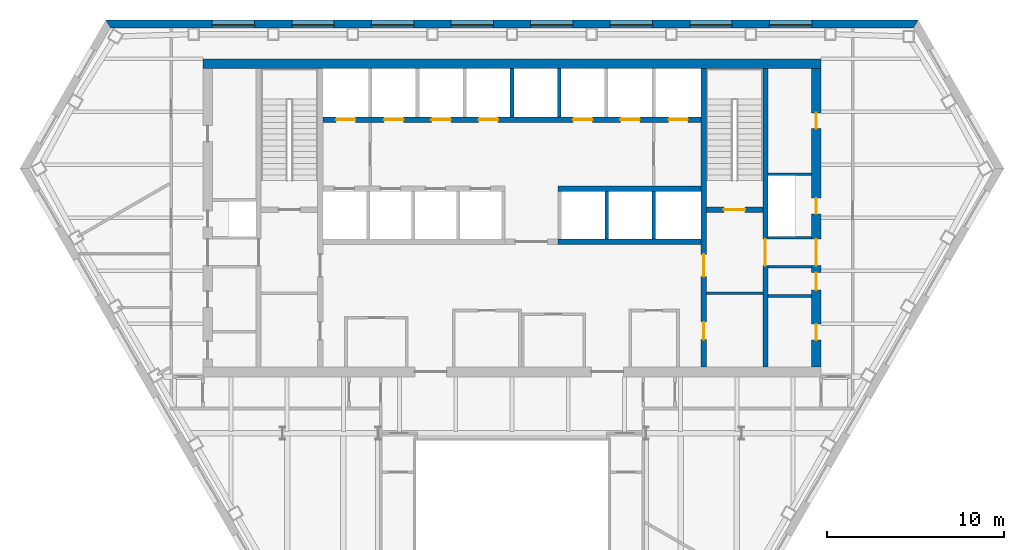
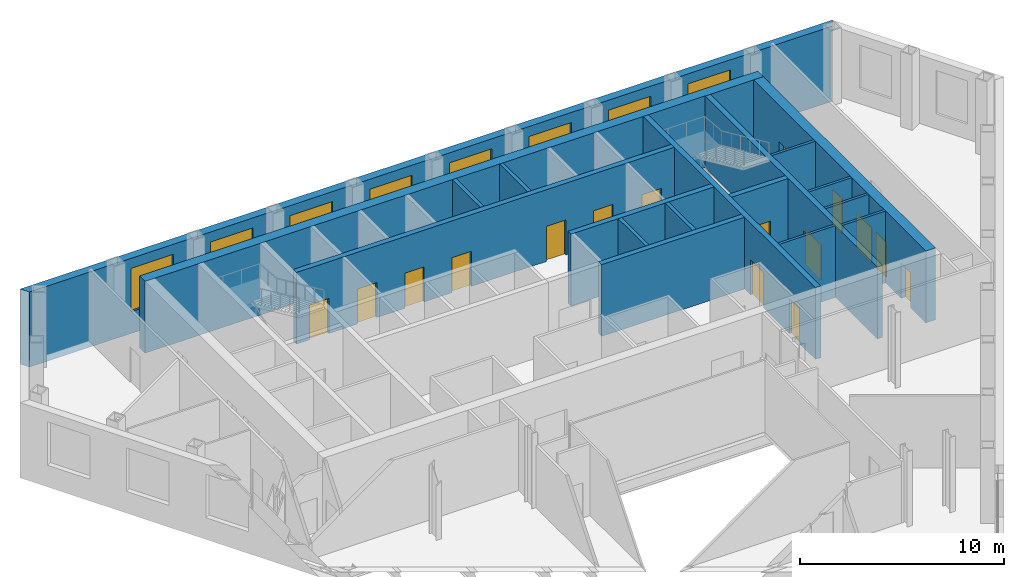
# One storey, part 7 of 11: 18 walls, 16 doors, 8 windows, 24 openings.
"""IFC4 building model written with IfcOpenShell, lengths in metres."""

import ifcopenshell
import ifcopenshell.guid

model = None  # the IFC model being written
_history = None  # IfcOwnerHistory: only IFC2X3 demands one
_inside = {}  # id of a spatial element -> (the spatial element, [elements in it])
_under = {}  # id of a project, library or spatial element -> (it, [spatial elements below it])
_declared = {}  # id of a project -> (the project, [libraries it declares])
_typed = {}  # id of a type object -> (the type object, [elements of that type])
_made_of = {}  # id of a material, layer set ... -> (it, [elements and type objects made of it])


def new_model(schema):
    """Start an empty IFC model of exactly this schema.

    Asked for "IFC4X3", IfcOpenShell would pick the latest addendum, in which some entities
    have other attributes; the version numbers below select the first issue.
    IFC2X3 requires an IfcOwnerHistory on every rooted entity: one is made here for all.
    """
    global model, _history
    if schema == "IFC4X3":
        model = ifcopenshell.file(schema_version=(4, 3, 0, 0))
    else:
        model = ifcopenshell.file(schema=schema)
    _inside.clear()
    _under.clear()
    _declared.clear()
    _typed.clear()
    _made_of.clear()
    _history = None
    if model.schema == "IFC2X3":
        org = make("IfcOrganization", Name="unknown")
        user = make(
            "IfcPersonAndOrganization",
            ThePerson=make("IfcPerson", FamilyName="unknown"),
            TheOrganization=org,
        )
        app = make(
            "IfcApplication",
            ApplicationDeveloper=org,
            Version="unknown",
            ApplicationFullName="unknown",
            ApplicationIdentifier="unknown",
        )
        _history = make(
            "IfcOwnerHistory",
            OwningUser=user,
            OwningApplication=app,
            ChangeAction="ADDED",
            CreationDate=0,
        )
    return model


def make(cls, **values):
    """One entity of the class cls with the attributes given. An attribute that is None is left unset."""
    return model.create_entity(
        cls, **{name: value for name, value in values.items() if value is not None}
    )


def rooted(cls, **values):
    """An entity with a GlobalId (a new one), such as an element, a storey or a relation."""
    return make(cls, GlobalId=ifcopenshell.guid.new(), OwnerHistory=_history, **values)


def si_unit(unit_type, name, prefix=None):
    """IfcSIUnit, for example si_unit("LENGTHUNIT", "METRE", prefix="MILLI")."""
    return make("IfcSIUnit", UnitType=unit_type, Prefix=prefix, Name=name)


def assignment(units):
    """IfcUnitAssignment: the units of a project."""
    return None if units is None else make("IfcUnitAssignment", Units=units)


def point(xyz):
    """IfcCartesianPoint."""
    return None if xyz is None else make("IfcCartesianPoint", Coordinates=xyz)


def direction(xyz):
    """IfcDirection."""
    return None if xyz is None else make("IfcDirection", DirectionRatios=xyz)


def frame(location, z_axis=None, x_axis=None):
    """IfcAxis2Placement3D, a coordinate frame: its origin and axes. An axis left out is left unset."""
    return make(
        "IfcAxis2Placement3D",
        Location=point(location),
        Axis=direction(z_axis),
        RefDirection=direction(x_axis),
    )


def frame_2d(location, x_axis=None):
    """IfcAxis2Placement2D, a coordinate frame in the plane: its origin and x axis."""
    return make(
        "IfcAxis2Placement2D", Location=point(location), RefDirection=direction(x_axis)
    )


def origin():
    """The frame at (0, 0, 0) with its axes left unset."""
    return frame((0.0, 0.0, 0.0))


def place(relative_to, where):
    """IfcLocalPlacement: puts the frame where relative to a parent placement (None: the world)."""
    return make(
        "IfcLocalPlacement", PlacementRelTo=relative_to, RelativePlacement=where
    )


def context(
    kind, dimensions, precision=None, world=None, true_north=None, identifier=None
):
    """IfcGeometricRepresentationContext, for example the 3D "Model" context."""
    return make(
        "IfcGeometricRepresentationContext",
        ContextIdentifier=identifier,
        ContextType=kind,
        CoordinateSpaceDimension=dimensions,
        Precision=precision,
        WorldCoordinateSystem=world,
        TrueNorth=true_north,
    )


def subcontext(parent, identifier, kind, view, scale=None):
    """IfcGeometricRepresentationSubContext, for example "Body" below "Model"."""
    return make(
        "IfcGeometricRepresentationSubContext",
        ContextIdentifier=identifier,
        ContextType=kind,
        ParentContext=parent,
        TargetScale=scale,
        TargetView=view,
    )


def project(units=None, contexts=None):
    """IfcProject with its units and contexts."""
    return rooted(
        "IfcProject",
        Name="project",
        RepresentationContexts=contexts,
        UnitsInContext=assignment(units),
    )


def spatial(cls, under=None, at=None, **own):
    """A site, building, storey or space (cls), placed at a placement, below another one or the project."""
    s = rooted(cls, ObjectPlacement=at, **own)
    if under is not None:
        _under.setdefault(under.id(), (under, []))[1].append(s)
    return s


def polyline(points):
    """IfcPolyline through the points."""
    return make("IfcPolyline", Points=[point(p) for p in points])


def profile(cls, at=None, kind="AREA", **sizes):
    """A parametric profile (cls). Its sizes go by their IFC names, for example OverallWidth=200.0."""
    return make(cls, ProfileType=kind, Position=at, **sizes)


def rectangle(**sizes):
    """IfcRectangleProfileDef."""
    return profile("IfcRectangleProfileDef", **sizes)


def outline(outer, holes=None, kind="AREA"):
    """IfcArbitraryClosedProfileDef: a profile drawn as a closed curve; with holes, ...WithVoids."""
    if holes is None:
        return make("IfcArbitraryClosedProfileDef", ProfileType=kind, OuterCurve=outer)
    return make(
        "IfcArbitraryProfileDefWithVoids",
        ProfileType=kind,
        OuterCurve=outer,
        InnerCurves=holes,
    )


def extrude(swept, where, along, depth):
    """IfcExtrudedAreaSolid: the profile swept, set in the frame where, extruded along a direction by depth."""
    return make(
        "IfcExtrudedAreaSolid",
        SweptArea=swept,
        Position=where,
        ExtrudedDirection=direction(along),
        Depth=depth,
    )


def shape(context_of_items, identifier, shape_type, items):
    """IfcShapeRepresentation: the items that make up one representation, for example the "Body"."""
    return make(
        "IfcShapeRepresentation",
        ContextOfItems=context_of_items,
        RepresentationIdentifier=identifier,
        RepresentationType=shape_type,
        Items=items,
    )


def material(Name=None, Category=None):
    """IfcMaterial."""
    return make("IfcMaterial", Name=Name, Category=Category)


def layer(
    of_material, thickness, ventilated=None, Name=None, Category=None, Priority=None
):
    """IfcMaterialLayer: one layer of a wall or slab, of a material (None: an air gap)."""
    return make(
        "IfcMaterialLayer",
        Material=of_material,
        LayerThickness=thickness,
        IsVentilated=ventilated,
        Name=Name,
        Category=Category,
        Priority=Priority,
    )


def layer_set(layers, Name=None):
    """IfcMaterialLayerSet."""
    return make("IfcMaterialLayerSet", MaterialLayers=layers, LayerSetName=Name)


def made_of(thing, what):
    """Note that an element or type object is made of a material, layer set ...; save() writes the relation."""
    if what is not None:
        _made_of.setdefault(what.id(), (what, []))[1].append(thing)
    return thing


def type_object(cls, material=None, **own):
    """A type object (cls), such as IfcWallType, which elements share."""
    return made_of(rooted(cls, **own), material)


def element(
    cls,
    number,
    at=None,
    inside=None,
    cuts=None,
    type_object=None,
    material=None,
    context=None,
    identifier="Body",
    shape_type=None,
    held_by="IfcProductDefinitionShape",
    body=None,
    shapes=None,
    **own,
):
    """One element of the class cls, such as IfcWall. Its Tag is "e" and its number.

    at: its placement. inside: the storey or other place that contains it. cuts: it is an
    opening in that element (IfcRelVoidsElement). A single representation is given by context,
    identifier, shape_type and body (its items); several are given by shapes. held_by: the class
    of the entity that holds the representations. save() writes the other relations.
    """
    e = rooted(cls, Tag="e%d" % number, ObjectPlacement=at, **own)
    if body is not None:
        shapes = [shape(context, identifier, shape_type, body)]
    if shapes is not None:
        e.Representation = make(held_by, Representations=shapes)
    if inside is not None:
        _inside.setdefault(inside.id(), (inside, []))[1].append(e)
    if cuts is not None:
        rooted(
            "IfcRelVoidsElement", RelatingBuildingElement=cuts, RelatedOpeningElement=e
        )
    if type_object is not None:
        _typed.setdefault(type_object.id(), (type_object, []))[1].append(e)
    return made_of(e, material)


def fill(opening, filler):
    """IfcRelFillsElement: the door or window that sits in an opening."""
    return rooted(
        "IfcRelFillsElement",
        RelatingOpeningElement=opening,
        RelatedBuildingElement=filler,
    )


def aggregate(whole, parts):
    """IfcRelAggregates: a whole, such as a stair, and the parts it consists of."""
    return rooted("IfcRelAggregates", RelatingObject=whole, RelatedObjects=parts)


def save(model, path):
    """Write the relations noted so far, then the file.

    IfcRelAggregates (storeys below a building ...), IfcRelContainedInSpatialStructure (elements
    in a storey), IfcRelDefinesByType, IfcRelAssociatesMaterial and IfcRelDeclares: one each for
    every whole, place, type object, material and project.
    """
    for whole, parts in _under.values():
        aggregate(whole, parts)
    for where, things in _inside.values():
        rooted(
            "IfcRelContainedInSpatialStructure",
            RelatedElements=things,
            RelatingStructure=where,
        )
    for kind, things in _typed.values():
        rooted("IfcRelDefinesByType", RelatedObjects=things, RelatingType=kind)
    for what, things in _made_of.values():
        rooted("IfcRelAssociatesMaterial", RelatedObjects=things, RelatingMaterial=what)
    for by, libraries in _declared.values():
        rooted("IfcRelDeclares", RelatingContext=by, RelatedDefinitions=libraries)
    model.write(path)


model = new_model("IFC4")

# Units and contexts
model_context = context("Model", 3, precision=1e-05, world=origin(), true_north=direction((0.0, 1.0)))
body_context = subcontext(model_context, "Body", "Model", "MODEL_VIEW")
ifc_project = project(units=[si_unit("LENGTHUNIT", "METRE"), si_unit("AREAUNIT", "SQUARE_METRE"), si_unit("VOLUMEUNIT", "CUBIC_METRE"), si_unit("PLANEANGLEUNIT", "RADIAN"), si_unit("MASSUNIT", "GRAM", prefix="KILO")], contexts=[model_context])

# Site, building, storey
site_placement = place(None, origin())
site = spatial("IfcSite", under=ifc_project, at=site_placement, CompositionType="ELEMENT")
building_placement = place(site_placement, origin())
building = spatial("IfcBuilding", under=site, at=building_placement, Name="Njiva Tower", CompositionType="ELEMENT")
storey_placement = place(building_placement, frame((0.0, 0.0, 115.8)))
storey = spatial("IfcBuildingStorey", under=building, at=storey_placement, Name="L24", CompositionType="ELEMENT", Elevation=115.8)

# Walls
ifc_material_1 = material(Name="Blockwork", Category="masonry")
ifc_layer_1 = layer(ifc_material_1, 0.15)
ifc_layer_set_1 = layer_set([ifc_layer_1], Name="Blockwork")
wall_type_1 = type_object("IfcWallType", Name="WT1 Compartment partition 150", PredefinedType="PARTITIONING", material=ifc_layer_set_1)
wall_1_placement = place(storey_placement, frame((11.0, 4.725, 0.0), z_axis=(0.0, 0.0, 1.0), x_axis=(1.0, 0.0, 0.0)))
element("IfcWall", 1, at=wall_1_placement, inside=storey, type_object=wall_type_1, Name="Room wall B", PredefinedType="PARTITIONING", context=body_context, shape_type="SweptSolid", body=[
    extrude(rectangle(XDim=3.2, YDim=0.15, at=frame_2d((1.6, 0.0))), origin(), (0.0, 0.0, 1.0), 4.3),
])
wall_2_placement = place(storey_placement, frame((14.5, 4.575, 0.0), z_axis=(0.0, 0.0, 1.0), x_axis=(1.0, 0.0, 0.0)))
element("IfcWall", 2, at=wall_2_placement, inside=storey, type_object=wall_type_1, Name="Partition strip E00", PredefinedType="PARTITIONING", context=body_context, shape_type="SweptSolid", body=[
    extrude(rectangle(XDim=2.45, YDim=0.15, at=frame_2d((1.225, 0.0))), origin(), (0.0, 0.0, 1.0), 4.3),
])

# Wall, openings, doors
ifc_material_2 = material(Name="Concrete C40/50", Category="concrete")
ifc_layer_2 = layer(ifc_material_2, 0.3)
ifc_layer_set_2 = layer_set([ifc_layer_2], Name="Concrete C40/50")
wall_type_2 = type_object("IfcWallType", Name="WT10 Stair enclosure wall 300", PredefinedType="SHEAR", material=ifc_layer_set_2)
wall_3_placement = place(storey_placement, frame((10.85, 0.55, 0.0), z_axis=(0.0, 0.0, 1.0), x_axis=(0.0, 1.0, 0.0)))
wall_3 = element("IfcWall", 3, at=wall_3_placement, inside=storey, type_object=wall_type_2, Name="Stair wall east inner", PredefinedType="SHEAR", context=body_context, shape_type="SweptSolid", body=[
    extrude(rectangle(XDim=16.9, YDim=0.3, at=frame_2d((8.45, 0.0))), origin(), (0.0, 0.0, 1.0), 4.3),
])
opening_1_placement = place(wall_3_placement, frame((5.125, 0.0, 0.0)))
opening_1 = element("IfcOpeningElement", 4, at=opening_1_placement, cuts=wall_3, Name="Opening S08-D918", PredefinedType="OPENING", context=body_context, shape_type="SweptSolid", body=[
    extrude(rectangle(XDim=1.25, YDim=2.1, at=frame_2d((0.625, 1.05))), frame((0.0, 0.16, 0.0), z_axis=(0.0, -1.0, 0.0), x_axis=(1.0, 0.0, 0.0)), (0.0, 0.0, 1.0), 0.32),
])
opening_2_placement = place(wall_3_placement, frame((1.55, 0.0, 0.0)))
opening_2 = element("IfcOpeningElement", 5, at=opening_2_placement, cuts=wall_3, Name="Opening S08-D919", PredefinedType="OPENING", context=body_context, shape_type="SweptSolid", body=[
    extrude(rectangle(XDim=1.0, YDim=2.1, at=frame_2d((0.5, 1.05))), frame((0.0, 0.16, 0.0), z_axis=(0.0, -1.0, 0.0), x_axis=(1.0, 0.0, 0.0)), (0.0, 0.0, 1.0), 0.32),
])
ifc_material_3 = material(Name="Steel door, painted", Category="steel")
door_type_1 = type_object("IfcDoorType", Name="D5 Steel door 1000x2100", OperationType="SINGLE_SWING_LEFT", PredefinedType="DOOR", material=ifc_material_3)
door_1_placement = place(opening_2_placement, origin())
door_1 = element("IfcDoor", 6, at=door_1_placement, inside=storey, type_object=door_type_1, Name="First aid room door", OperationType="SINGLE_SWING_LEFT", OverallHeight=2.1, OverallWidth=1.0, PredefinedType="DOOR", context=body_context, shape_type="SweptSolid", body=[
    extrude(rectangle(XDim=1.0, YDim=2.1, at=frame_2d((0.5, 1.05))), frame((0.0, 0.025, 0.0), z_axis=(0.0, -1.0, 0.0), x_axis=(1.0, 0.0, 0.0)), (0.0, 0.0, 1.0), 0.05),
])
fill(opening_2, door_1)
ifc_material_4 = material(Name="Glazed steel fire door", Category="steel")
door_type_2 = type_object("IfcDoorType", Name="D8 Vestibule corridor door 1250x2100 glazed", OperationType="SINGLE_SWING_LEFT", PredefinedType="DOOR", material=ifc_material_4)
door_2_placement = place(opening_1_placement, origin())
door_2 = element("IfcDoor", 7, at=door_2_placement, inside=storey, type_object=door_type_2, Name="Stair vestibule corridor door", OperationType="SINGLE_SWING_RIGHT", OverallHeight=2.1, OverallWidth=1.25, PredefinedType="DOOR", context=body_context, shape_type="SweptSolid", body=[
    extrude(rectangle(XDim=1.25, YDim=2.1, at=frame_2d((0.625, 1.05))), frame((0.0, 0.025, 0.0), z_axis=(0.0, -1.0, 0.0), x_axis=(1.0, 0.0, 0.0)), (0.0, 0.0, 1.0), 0.05),
])
fill(opening_1, door_2)

# Wall, opening, door
wall_4_placement = place(storey_placement, frame((14.35, 0.55, 0.0), z_axis=(0.0, 0.0, 1.0), x_axis=(0.0, 1.0, 0.0)))
wall_4 = element("IfcWall", 8, at=wall_4_placement, inside=storey, type_object=wall_type_2, Name="Stair wall east outer", PredefinedType="SHEAR", context=body_context, shape_type="SweptSolid", body=[
    extrude(rectangle(XDim=16.9, YDim=0.3, at=frame_2d((8.45, 0.0))), origin(), (0.0, 0.0, 1.0), 4.3),
])
opening_3_placement = place(wall_4_placement, frame((5.75, 0.0, 0.0)))
opening_3 = element("IfcOpeningElement", 9, at=opening_3_placement, cuts=wall_4, Name="Opening S08-D926", PredefinedType="OPENING", context=body_context, shape_type="SweptSolid", body=[
    extrude(rectangle(XDim=1.5, YDim=2.1, at=frame_2d((0.75, 1.05))), frame((0.0, 0.16, 0.0), z_axis=(0.0, -1.0, 0.0), x_axis=(1.0, 0.0, 0.0)), (0.0, 0.0, 1.0), 0.32),
])
door_type_3 = type_object("IfcDoorType", Name="D10 Exit door double 1500x2100 glazed", OperationType="DOUBLE_DOOR_SINGLE_SWING", PredefinedType="DOOR", material=ifc_material_4)
door_3_placement = place(opening_3_placement, origin())
door_3 = element("IfcDoor", 10, at=door_3_placement, inside=storey, type_object=door_type_3, Name="Stair B passage door", OperationType="DOUBLE_DOOR_SINGLE_SWING", OverallHeight=2.1, OverallWidth=1.5, PredefinedType="DOOR", context=body_context, shape_type="SweptSolid", body=[
    extrude(rectangle(XDim=1.5, YDim=2.1, at=frame_2d((0.75, 1.05))), frame((0.0, 0.025, 0.0), z_axis=(0.0, -1.0, 0.0), x_axis=(1.0, 0.0, 0.0)), (0.0, 0.0, 1.0), 0.05),
])
fill(opening_3, door_3)

wall_5_placement = place(storey_placement, frame((11.0, 9.45, 0.0), z_axis=(0.0, 0.0, 1.0), x_axis=(1.0, 0.0, 0.0)))
wall_5 = element("IfcWall", 11, at=wall_5_placement, inside=storey, type_object=wall_type_2, Name="Stair B south wall", PredefinedType="SHEAR", context=body_context, shape_type="SweptSolid", body=[
    extrude(rectangle(XDim=3.2, YDim=0.3, at=frame_2d((1.6, 0.0))), origin(), (0.0, 0.0, 1.0), 4.3),
])
opening_4_placement = place(wall_5_placement, frame((1.0, 0.0, 0.0)))
opening_4 = element("IfcOpeningElement", 12, at=opening_4_placement, cuts=wall_5, Name="Opening S08-D917", PredefinedType="OPENING", context=body_context, shape_type="SweptSolid", body=[
    extrude(rectangle(XDim=1.2, YDim=2.1, at=frame_2d((0.6, 1.05))), frame((0.0, 0.16, 0.0), z_axis=(0.0, -1.0, 0.0), x_axis=(1.0, 0.0, 0.0)), (0.0, 0.0, 1.0), 0.32),
])
door_type_4 = type_object("IfcDoorType", Name="D7 Stair vestibule door 1200x2100 glazed", OperationType="SINGLE_SWING_LEFT", PredefinedType="DOOR", material=ifc_material_4)
door_4_placement = place(opening_4_placement, origin())
door_4 = element("IfcDoor", 13, at=door_4_placement, inside=storey, type_object=door_type_4, Name="Stair B door", OperationType="SINGLE_SWING_LEFT", OverallHeight=2.1, OverallWidth=1.2, PredefinedType="DOOR", context=body_context, shape_type="SweptSolid", body=[
    extrude(rectangle(XDim=1.2, YDim=2.1, at=frame_2d((0.6, 1.05))), frame((0.0, 0.025, 0.0), z_axis=(0.0, -1.0, 0.0), x_axis=(1.0, 0.0, 0.0)), (0.0, 0.0, 1.0), 0.05),
])
fill(opening_4, door_4)

# Wall
ifc_material_5 = material(Name="Concrete C60/75", Category="concrete")
ifc_layer_3 = layer(ifc_material_5, 0.55)
ifc_layer_set_3 = layer_set([ifc_layer_3], Name="Concrete C60/75")
wall_type_3 = type_object("IfcWallType", Name="WT14 Core wall 550", PredefinedType="SHEAR", material=ifc_layer_set_3)
wall_6_placement = place(storey_placement, frame((-17.5, 17.725, 0.0), z_axis=(0.0, 0.0, 1.0), x_axis=(1.0, 0.0, 0.0)))
element("IfcWall", 14, at=wall_6_placement, inside=storey, type_object=wall_type_3, Name="Core wall north", PredefinedType="SHEAR", context=body_context, shape_type="SweptSolid", body=[
    extrude(rectangle(XDim=35.0, YDim=0.55, at=frame_2d((17.5, 0.0))), origin(), (0.0, 0.0, 1.0), 4.3),
])

# Wall, openings, doors
wall_7_placement = place(storey_placement, frame((17.225, 0.55, 0.0), z_axis=(0.0, 0.0, 1.0), x_axis=(0.0, 1.0, 0.0)))
wall_7 = element("IfcWall", 15, at=wall_7_placement, inside=storey, type_object=wall_type_3, Name="Core wall east", PredefinedType="SHEAR", context=body_context, shape_type="SweptSolid", body=[
    extrude(rectangle(XDim=16.9, YDim=0.55, at=frame_2d((8.45, 0.0))), origin(), (0.0, 0.0, 1.0), 4.3),
])
opening_5_placement = place(wall_7_placement, frame((5.75, 0.0, 0.0)))
opening_5 = element("IfcOpeningElement", 16, at=opening_5_placement, cuts=wall_7, Name="Opening S08-D927", PredefinedType="OPENING", context=body_context, shape_type="SweptSolid", body=[
    extrude(rectangle(XDim=1.5, YDim=2.1, at=frame_2d((0.75, 1.05))), frame((0.0, 0.285, 0.0), z_axis=(0.0, -1.0, 0.0), x_axis=(1.0, 0.0, 0.0)), (0.0, 0.0, 1.0), 0.57),
])
opening_6_placement = place(wall_7_placement, frame((1.525, 0.0, 0.0)))
opening_6 = element("IfcOpeningElement", 17, at=opening_6_placement, cuts=wall_7, Name="Opening S08-D928", PredefinedType="OPENING", context=body_context, shape_type="SweptSolid", body=[
    extrude(rectangle(XDim=0.9, YDim=2.1, at=frame_2d((0.45, 1.05))), frame((0.0, 0.285, 0.0), z_axis=(0.0, -1.0, 0.0), x_axis=(1.0, 0.0, 0.0)), (0.0, 0.0, 1.0), 0.57),
])
opening_7_placement = place(wall_7_placement, frame((4.35, 0.0, 0.0)))
opening_7 = element("IfcOpeningElement", 18, at=opening_7_placement, cuts=wall_7, Name="Opening S08-D929", PredefinedType="OPENING", context=body_context, shape_type="SweptSolid", body=[
    extrude(rectangle(XDim=1.0, YDim=2.1, at=frame_2d((0.5, 1.05))), frame((0.0, 0.285, 0.0), z_axis=(0.0, -1.0, 0.0), x_axis=(1.0, 0.0, 0.0)), (0.0, 0.0, 1.0), 0.57),
])
opening_8_placement = place(wall_7_placement, frame((8.6724, 0.0, 0.0)))
opening_8 = element("IfcOpeningElement", 19, at=opening_8_placement, cuts=wall_7, Name="Opening S08-D930", PredefinedType="OPENING", context=body_context, shape_type="SweptSolid", body=[
    extrude(rectangle(XDim=0.9, YDim=2.1, at=frame_2d((0.45, 1.05))), frame((0.0, 0.285, 0.0), z_axis=(0.0, -1.0, 0.0), x_axis=(1.0, 0.0, 0.0)), (0.0, 0.0, 1.0), 0.57),
])
opening_9_placement = place(wall_7_placement, frame((13.4974, 0.0, 0.0)))
opening_9 = element("IfcOpeningElement", 20, at=opening_9_placement, cuts=wall_7, Name="Opening S08-D931", PredefinedType="OPENING", context=body_context, shape_type="SweptSolid", body=[
    extrude(rectangle(XDim=0.9, YDim=2.1, at=frame_2d((0.45, 1.05))), frame((0.0, 0.285, 0.0), z_axis=(0.0, -1.0, 0.0), x_axis=(1.0, 0.0, 0.0)), (0.0, 0.0, 1.0), 0.57),
])
door_5_placement = place(opening_5_placement, origin())
door_5 = element("IfcDoor", 21, at=door_5_placement, inside=storey, type_object=door_type_3, Name="Stair B corridor door", OperationType="DOUBLE_DOOR_SINGLE_SWING", OverallHeight=2.1, OverallWidth=1.5, PredefinedType="DOOR", context=body_context, shape_type="SweptSolid", body=[
    extrude(rectangle(XDim=1.5, YDim=2.1, at=frame_2d((0.75, 1.05))), frame((0.0, 0.025, 0.0), z_axis=(0.0, -1.0, 0.0), x_axis=(1.0, 0.0, 0.0)), (0.0, 0.0, 1.0), 0.05),
])
fill(opening_5, door_5)
door_type_5 = type_object("IfcDoorType", Name="D4 Riser door 900x2100", OperationType="SINGLE_SWING_LEFT", PredefinedType="DOOR", material=ifc_material_3)
door_6_placement = place(opening_8_placement, origin())
door_6 = element("IfcDoor", 22, at=door_6_placement, inside=storey, type_object=door_type_5, Name="Riser door", OperationType="SINGLE_SWING_RIGHT", OverallHeight=2.1, OverallWidth=0.9, PredefinedType="DOOR", context=body_context, shape_type="SweptSolid", body=[
    extrude(rectangle(XDim=0.9, YDim=2.1, at=frame_2d((0.45, 1.05))), frame((0.0, 0.025, 0.0), z_axis=(0.0, -1.0, 0.0), x_axis=(1.0, 0.0, 0.0)), (0.0, 0.0, 1.0), 0.05),
])
fill(opening_8, door_6)
door_7_placement = place(opening_7_placement, origin())
door_7 = element("IfcDoor", 23, at=door_7_placement, inside=storey, type_object=door_type_1, Name="Telecoms room door", OperationType="SINGLE_SWING_RIGHT", OverallHeight=2.1, OverallWidth=1.0, PredefinedType="DOOR", context=body_context, shape_type="SweptSolid", body=[
    extrude(rectangle(XDim=1.0, YDim=2.1, at=frame_2d((0.5, 1.05))), frame((0.0, 0.025, 0.0), z_axis=(0.0, -1.0, 0.0), x_axis=(1.0, 0.0, 0.0)), (0.0, 0.0, 1.0), 0.05),
])
fill(opening_7, door_7)
ifc_material_6 = material(Name="Steel fire door, painted", Category="steel")
door_type_6 = type_object("IfcDoorType", Name="D6 Fire-rated door 900x2100", OperationType="SINGLE_SWING_LEFT", PredefinedType="DOOR", material=ifc_material_6)
door_8_placement = place(opening_6_placement, origin())
door_8 = element("IfcDoor", 24, at=door_8_placement, inside=storey, type_object=door_type_6, Name="Meeting room door", OperationType="SINGLE_SWING_RIGHT", OverallHeight=2.1, OverallWidth=0.9, PredefinedType="DOOR", context=body_context, shape_type="SweptSolid", body=[
    extrude(rectangle(XDim=0.9, YDim=2.1, at=frame_2d((0.45, 1.05))), frame((0.0, 0.025, 0.0), z_axis=(0.0, -1.0, 0.0), x_axis=(1.0, 0.0, 0.0)), (0.0, 0.0, 1.0), 0.05),
])
fill(opening_6, door_8)
door_9_placement = place(opening_9_placement, origin())
door_9 = element("IfcDoor", 25, at=door_9_placement, inside=storey, type_object=door_type_6, Name="First aid room door", OperationType="SINGLE_SWING_LEFT", OverallHeight=2.1, OverallWidth=0.9, PredefinedType="DOOR", context=body_context, shape_type="SweptSolid", body=[
    extrude(rectangle(XDim=0.9, YDim=2.1, at=frame_2d((0.45, 1.05))), frame((0.0, 0.025, 0.0), z_axis=(0.0, -1.0, 0.0), x_axis=(1.0, 0.0, 0.0)), (0.0, 0.0, 1.0), 0.05),
])
fill(opening_9, door_9)

# Walls
ifc_layer_4 = layer(ifc_material_1, 0.15)
ifc_layer_set_4 = layer_set([ifc_layer_4], Name="Blockwork")
wall_type_4 = type_object("IfcWallType", Name="WT3 Riser partition 150", PredefinedType="PARTITIONING", material=ifc_layer_set_4)
wall_8_placement = place(storey_placement, frame((14.5, 11.4697, 0.0), z_axis=(0.0, 0.0, 1.0), x_axis=(1.0, 0.0, 0.0)))
element("IfcWall", 26, at=wall_8_placement, inside=storey, type_object=wall_type_4, Name="Partition strip E10", PredefinedType="PARTITIONING", context=body_context, shape_type="SweptSolid", body=[
    extrude(rectangle(XDim=2.45, YDim=0.15, at=frame_2d((1.225, 0.0))), origin(), (0.0, 0.0, 1.0), 4.3),
])
ifc_layer_5 = layer(ifc_material_1, 0.15)
ifc_layer_set_5 = layer_set([ifc_layer_5], Name="Blockwork")
wall_type_5 = type_object("IfcWallType", Name="WT4 Stair partition 150", PredefinedType="PARTITIONING", material=ifc_layer_set_5)
for number, where, z_axis, x_axis, name in (
    (27, (14.5, 6.225, 0.0), (0.0, 0.0, 1.0), (1.0, 0.0, 0.0), "Stair B exit passage wall south"),
    (28, (14.5, 7.875, 0.0), (0.0, 0.0, 1.0), (1.0, 0.0, 0.0), "Stair B exit passage wall north"),
):
    element("IfcWall", number, at=place(storey_placement, frame(where, z_axis=z_axis, x_axis=x_axis)), inside=storey, type_object=wall_type_5, Name=name, PredefinedType="PARTITIONING", context=body_context, shape_type="SweptSolid", body=[
        extrude(rectangle(XDim=2.45, YDim=0.15, at=frame_2d((1.225, 0.0))), origin(), (0.0, 0.0, 1.0), 4.3),
    ])
ifc_layer_6 = layer(ifc_material_2, 0.2)
ifc_layer_set_6 = layer_set([ifc_layer_6], Name="Concrete C40/50")
wall_type_6 = type_object("IfcWallType", Name="WT6 Lift shaft wall 200", PredefinedType="SHEAR", material=ifc_layer_set_6)
for number, where, z_axis, x_axis, name in (
    (29, (0.0, 14.7, 0.0), (0.0, 0.0, 1.0), (0.0, 1.0, 0.0), "Shaft wall CN4"),
    (30, (2.675, 14.7, 0.0), (0.0, 0.0, 1.0), (0.0, 1.0, 0.0), "Shaft wall CN5"),
):
    element("IfcWall", number, at=place(storey_placement, frame(where, z_axis=z_axis, x_axis=x_axis)), inside=storey, type_object=wall_type_6, Name=name, PredefinedType="SHEAR", context=body_context, shape_type="SweptSolid", body=[
        extrude(rectangle(XDim=2.75, YDim=0.2, at=frame_2d((1.375, 0.0))), origin(), (0.0, 0.0, 1.0), 4.3),
    ])
for number, where, z_axis, x_axis, name in (
    (31, (5.3667, 7.8, 0.0), (0.0, 0.0, 1.0), (0.0, 1.0, 0.0), "Shaft wall CS6"),
    (32, (8.0333, 7.8, 0.0), (0.0, 0.0, 1.0), (0.0, 1.0, 0.0), "Shaft wall CS7"),
):
    element("IfcWall", number, at=place(storey_placement, frame(where, z_axis=z_axis, x_axis=x_axis)), inside=storey, type_object=wall_type_6, Name=name, PredefinedType="SHEAR", context=body_context, shape_type="SweptSolid", body=[
        extrude(rectangle(XDim=2.7, YDim=0.2, at=frame_2d((1.35, 0.0))), origin(), (0.0, 0.0, 1.0), 4.3),
    ])

# Wall, openings, doors
ifc_layer_7 = layer(ifc_material_2, 0.3)
ifc_layer_set_7 = layer_set([ifc_layer_7], Name="Concrete C40/50")
wall_type_7 = type_object("IfcWallType", Name="WT7 Lift shaft wall 300", PredefinedType="SHEAR", material=ifc_layer_set_7)
wall_9_placement = place(storey_placement, frame((-10.7, 14.55, 0.0), z_axis=(0.0, 0.0, 1.0), x_axis=(1.0, 0.0, 0.0)))
wall_9 = element("IfcWall", 33, at=wall_9_placement, inside=storey, type_object=wall_type_7, Name="Shaft wall north row lobby side", PredefinedType="SHEAR", context=body_context, shape_type="SweptSolid", body=[
    extrude(rectangle(XDim=21.4, YDim=0.3, at=frame_2d((10.7, 0.0))), origin(), (0.0, 0.0, 1.0), 4.3),
])
opening_10_placement = place(wall_9_placement, frame((0.7375, 0.0, 0.0)))
opening_10 = element("IfcOpeningElement", 34, at=opening_10_placement, cuts=wall_9, Name="Opening S08-D901", PredefinedType="OPENING", context=body_context, shape_type="SweptSolid", body=[
    extrude(rectangle(XDim=1.1, YDim=2.1, at=frame_2d((0.55, 1.05))), frame((0.0, 0.16, 0.0), z_axis=(0.0, -1.0, 0.0), x_axis=(1.0, 0.0, 0.0)), (0.0, 0.0, 1.0), 0.32),
])
opening_11_placement = place(wall_9_placement, frame((3.4625, 0.0, 0.0)))
opening_11 = element("IfcOpeningElement", 35, at=opening_11_placement, cuts=wall_9, Name="Opening S08-D902", PredefinedType="OPENING", context=body_context, shape_type="SweptSolid", body=[
    extrude(rectangle(XDim=1.1, YDim=2.1, at=frame_2d((0.55, 1.05))), frame((0.0, 0.16, 0.0), z_axis=(0.0, -1.0, 0.0), x_axis=(1.0, 0.0, 0.0)), (0.0, 0.0, 1.0), 0.32),
])
opening_12_placement = place(wall_9_placement, frame((6.1375, 0.0, 0.0)))
opening_12 = element("IfcOpeningElement", 36, at=opening_12_placement, cuts=wall_9, Name="Opening S08-D903", PredefinedType="OPENING", context=body_context, shape_type="SweptSolid", body=[
    extrude(rectangle(XDim=1.1, YDim=2.1, at=frame_2d((0.55, 1.05))), frame((0.0, 0.16, 0.0), z_axis=(0.0, -1.0, 0.0), x_axis=(1.0, 0.0, 0.0)), (0.0, 0.0, 1.0), 0.32),
])
opening_13_placement = place(wall_9_placement, frame((8.8125, 0.0, 0.0)))
opening_13 = element("IfcOpeningElement", 37, at=opening_13_placement, cuts=wall_9, Name="Opening S08-D904", PredefinedType="OPENING", context=body_context, shape_type="SweptSolid", body=[
    extrude(rectangle(XDim=1.1, YDim=2.1, at=frame_2d((0.55, 1.05))), frame((0.0, 0.16, 0.0), z_axis=(0.0, -1.0, 0.0), x_axis=(1.0, 0.0, 0.0)), (0.0, 0.0, 1.0), 0.32),
])
opening_14_placement = place(wall_9_placement, frame((14.1625, 0.0, 0.0)))
opening_14 = element("IfcOpeningElement", 38, at=opening_14_placement, cuts=wall_9, Name="Opening S08-D905", PredefinedType="OPENING", context=body_context, shape_type="SweptSolid", body=[
    extrude(rectangle(XDim=1.1, YDim=2.1, at=frame_2d((0.55, 1.05))), frame((0.0, 0.16, 0.0), z_axis=(0.0, -1.0, 0.0), x_axis=(1.0, 0.0, 0.0)), (0.0, 0.0, 1.0), 0.32),
])
opening_15_placement = place(wall_9_placement, frame((16.8375, 0.0, 0.0)))
opening_15 = element("IfcOpeningElement", 39, at=opening_15_placement, cuts=wall_9, Name="Opening S08-D906", PredefinedType="OPENING", context=body_context, shape_type="SweptSolid", body=[
    extrude(rectangle(XDim=1.1, YDim=2.1, at=frame_2d((0.55, 1.05))), frame((0.0, 0.16, 0.0), z_axis=(0.0, -1.0, 0.0), x_axis=(1.0, 0.0, 0.0)), (0.0, 0.0, 1.0), 0.32),
])
opening_16_placement = place(wall_9_placement, frame((19.5625, 0.0, 0.0)))
opening_16 = element("IfcOpeningElement", 40, at=opening_16_placement, cuts=wall_9, Name="Opening S08-D907", PredefinedType="OPENING", context=body_context, shape_type="SweptSolid", body=[
    extrude(rectangle(XDim=1.1, YDim=2.1, at=frame_2d((0.55, 1.05))), frame((0.0, 0.16, 0.0), z_axis=(0.0, -1.0, 0.0), x_axis=(1.0, 0.0, 0.0)), (0.0, 0.0, 1.0), 0.32),
])
ifc_material_7 = material(Name="Stainless steel sliding door", Category="steel")
door_type_7 = type_object("IfcDoorType", Name="LD Lift landing door 1100x2100", OperationType="SLIDING_TO_LEFT", PredefinedType="DOOR", material=ifc_material_7)
door_10_placement = place(opening_10_placement, origin())
door_10 = element("IfcDoor", 41, at=door_10_placement, inside=storey, type_object=door_type_7, Name="Lift landing door FF1", OperationType="SLIDING_TO_LEFT", OverallHeight=2.1, OverallWidth=1.1, PredefinedType="DOOR", context=body_context, shape_type="SweptSolid", body=[
    extrude(rectangle(XDim=1.1, YDim=2.1, at=frame_2d((0.55, 1.05))), frame((0.0, 0.025, 0.0), z_axis=(0.0, -1.0, 0.0), x_axis=(1.0, 0.0, 0.0)), (0.0, 0.0, 1.0), 0.05),
])
fill(opening_10, door_10)
door_11_placement = place(opening_11_placement, origin())
door_11 = element("IfcDoor", 42, at=door_11_placement, inside=storey, type_object=door_type_7, Name="Lift landing door LB1", OperationType="SLIDING_TO_LEFT", OverallHeight=2.1, OverallWidth=1.1, PredefinedType="DOOR", context=body_context, shape_type="SweptSolid", body=[
    extrude(rectangle(XDim=1.1, YDim=2.1, at=frame_2d((0.55, 1.05))), frame((0.0, 0.025, 0.0), z_axis=(0.0, -1.0, 0.0), x_axis=(1.0, 0.0, 0.0)), (0.0, 0.0, 1.0), 0.05),
])
fill(opening_11, door_11)
door_12_placement = place(opening_12_placement, origin())
door_12 = element("IfcDoor", 43, at=door_12_placement, inside=storey, type_object=door_type_7, Name="Lift landing door LB2", OperationType="SLIDING_TO_LEFT", OverallHeight=2.1, OverallWidth=1.1, PredefinedType="DOOR", context=body_context, shape_type="SweptSolid", body=[
    extrude(rectangle(XDim=1.1, YDim=2.1, at=frame_2d((0.55, 1.05))), frame((0.0, 0.025, 0.0), z_axis=(0.0, -1.0, 0.0), x_axis=(1.0, 0.0, 0.0)), (0.0, 0.0, 1.0), 0.05),
])
fill(opening_12, door_12)
door_13_placement = place(opening_13_placement, origin())
door_13 = element("IfcDoor", 44, at=door_13_placement, inside=storey, type_object=door_type_7, Name="Lift landing door LB3", OperationType="SLIDING_TO_LEFT", OverallHeight=2.1, OverallWidth=1.1, PredefinedType="DOOR", context=body_context, shape_type="SweptSolid", body=[
    extrude(rectangle(XDim=1.1, YDim=2.1, at=frame_2d((0.55, 1.05))), frame((0.0, 0.025, 0.0), z_axis=(0.0, -1.0, 0.0), x_axis=(1.0, 0.0, 0.0)), (0.0, 0.0, 1.0), 0.05),
])
fill(opening_13, door_13)
door_14_placement = place(opening_14_placement, origin())
door_14 = element("IfcDoor", 45, at=door_14_placement, inside=storey, type_object=door_type_7, Name="Lift landing door FR1", OperationType="SLIDING_TO_LEFT", OverallHeight=2.1, OverallWidth=1.1, PredefinedType="DOOR", context=body_context, shape_type="SweptSolid", body=[
    extrude(rectangle(XDim=1.1, YDim=2.1, at=frame_2d((0.55, 1.05))), frame((0.0, 0.025, 0.0), z_axis=(0.0, -1.0, 0.0), x_axis=(1.0, 0.0, 0.0)), (0.0, 0.0, 1.0), 0.05),
])
fill(opening_14, door_14)
door_15_placement = place(opening_15_placement, origin())
door_15 = element("IfcDoor", 46, at=door_15_placement, inside=storey, type_object=door_type_7, Name="Lift landing door FR2", OperationType="SLIDING_TO_LEFT", OverallHeight=2.1, OverallWidth=1.1, PredefinedType="DOOR", context=body_context, shape_type="SweptSolid", body=[
    extrude(rectangle(XDim=1.1, YDim=2.1, at=frame_2d((0.55, 1.05))), frame((0.0, 0.025, 0.0), z_axis=(0.0, -1.0, 0.0), x_axis=(1.0, 0.0, 0.0)), (0.0, 0.0, 1.0), 0.05),
])
fill(opening_15, door_15)
door_16_placement = place(opening_16_placement, origin())
door_16 = element("IfcDoor", 47, at=door_16_placement, inside=storey, type_object=door_type_7, Name="Lift landing door FF2", OperationType="SLIDING_TO_LEFT", OverallHeight=2.1, OverallWidth=1.1, PredefinedType="DOOR", context=body_context, shape_type="SweptSolid", body=[
    extrude(rectangle(XDim=1.1, YDim=2.1, at=frame_2d((0.55, 1.05))), frame((0.0, 0.025, 0.0), z_axis=(0.0, -1.0, 0.0), x_axis=(1.0, 0.0, 0.0)), (0.0, 0.0, 1.0), 0.05),
])
fill(opening_16, door_16)

# Walls
for number, where, z_axis, x_axis, name in (
    (48, (2.6, 10.65, 0.0), (0.0, 0.0, 1.0), (1.0, 0.0, 0.0), "Shaft wall south row lobby side E"),
    (49, (2.6, 7.65, 0.0), (0.0, 0.0, 1.0), (1.0, 0.0, 0.0), "Shaft wall south row back E"),
):
    element("IfcWall", number, at=place(storey_placement, frame(where, z_axis=z_axis, x_axis=x_axis)), inside=storey, type_object=wall_type_7, Name=name, PredefinedType="SHEAR", context=body_context, shape_type="SweptSolid", body=[
        extrude(rectangle(XDim=8.1, YDim=0.3, at=frame_2d((4.05, 0.0))), origin(), (0.0, 0.0, 1.0), 4.3),
    ])

# Wall, openings, windows
ifc_material_8 = material(Name="Brick masonry", Category="masonry")
ifc_layer_8 = layer(ifc_material_8, 0.45)
ifc_layer_set_8 = layer_set([ifc_layer_8], Name="Brick masonry")
wall_type_8 = type_object("IfcWallType", Name="WT90 Brick pier and spandrel wall 450", PredefinedType="SOLIDWALL", material=ifc_layer_set_8)
wall_10_placement = place(storey_placement, frame((22.8651, 19.975, -0.4), z_axis=(0.0, 0.0, 1.0), x_axis=(-1.0, 0.0, 0.0)))
wall_10 = element("IfcWall", 50, at=wall_10_placement, inside=storey, type_object=wall_type_8, Name="Facade wall N", PredefinedType="SOLIDWALL", context=body_context, shape_type="SweptSolid", body=[
    extrude(outline(polyline([(-0.1299, -0.225), (45.8601, -0.225), (45.6003, 0.225), (0.1299, 0.225), (-0.1299, -0.225)])), origin(), (0.0, 0.0, 1.0), 4.5),
])
opening_17_placement = place(wall_10_placement, frame((5.8919, 0.0, 1.3)))
opening_17 = element("IfcOpeningElement", 51, at=opening_17_placement, cuts=wall_10, Name="Opening S08-W01", PredefinedType="OPENING", context=body_context, shape_type="SweptSolid", body=[
    extrude(rectangle(XDim=2.4, YDim=2.6, at=frame_2d((1.2, 1.3))), frame((0.0, 0.235, 0.0), z_axis=(0.0, -1.0, 0.0), x_axis=(1.0, 0.0, 0.0)), (0.0, 0.0, 1.0), 0.47),
])
opening_18_placement = place(wall_10_placement, frame((10.3985, 0.0, 1.3)))
opening_18 = element("IfcOpeningElement", 52, at=opening_18_placement, cuts=wall_10, Name="Opening S08-W02", PredefinedType="OPENING", context=body_context, shape_type="SweptSolid", body=[
    extrude(rectangle(XDim=2.4, YDim=2.6, at=frame_2d((1.2, 1.3))), frame((0.0, 0.235, 0.0), z_axis=(0.0, -1.0, 0.0), x_axis=(1.0, 0.0, 0.0)), (0.0, 0.0, 1.0), 0.47),
])
opening_19_placement = place(wall_10_placement, frame((14.9052, 0.0, 1.3)))
opening_19 = element("IfcOpeningElement", 53, at=opening_19_placement, cuts=wall_10, Name="Opening S08-W03", PredefinedType="OPENING", context=body_context, shape_type="SweptSolid", body=[
    extrude(rectangle(XDim=2.4, YDim=2.6, at=frame_2d((1.2, 1.3))), frame((0.0, 0.235, 0.0), z_axis=(0.0, -1.0, 0.0), x_axis=(1.0, 0.0, 0.0)), (0.0, 0.0, 1.0), 0.47),
])
opening_20_placement = place(wall_10_placement, frame((19.4118, 0.0, 1.3)))
opening_20 = element("IfcOpeningElement", 54, at=opening_20_placement, cuts=wall_10, Name="Opening S08-W04", PredefinedType="OPENING", context=body_context, shape_type="SweptSolid", body=[
    extrude(rectangle(XDim=2.4, YDim=2.6, at=frame_2d((1.2, 1.3))), frame((0.0, 0.235, 0.0), z_axis=(0.0, -1.0, 0.0), x_axis=(1.0, 0.0, 0.0)), (0.0, 0.0, 1.0), 0.47),
])
opening_21_placement = place(wall_10_placement, frame((23.9184, 0.0, 1.3)))
opening_21 = element("IfcOpeningElement", 55, at=opening_21_placement, cuts=wall_10, Name="Opening S08-W05", PredefinedType="OPENING", context=body_context, shape_type="SweptSolid", body=[
    extrude(rectangle(XDim=2.4, YDim=2.6, at=frame_2d((1.2, 1.3))), frame((0.0, 0.235, 0.0), z_axis=(0.0, -1.0, 0.0), x_axis=(1.0, 0.0, 0.0)), (0.0, 0.0, 1.0), 0.47),
])
opening_22_placement = place(wall_10_placement, frame((28.425, 0.0, 1.3)))
opening_22 = element("IfcOpeningElement", 56, at=opening_22_placement, cuts=wall_10, Name="Opening S08-W06", PredefinedType="OPENING", context=body_context, shape_type="SweptSolid", body=[
    extrude(rectangle(XDim=2.4, YDim=2.6, at=frame_2d((1.2, 1.3))), frame((0.0, 0.235, 0.0), z_axis=(0.0, -1.0, 0.0), x_axis=(1.0, 0.0, 0.0)), (0.0, 0.0, 1.0), 0.47),
])
opening_23_placement = place(wall_10_placement, frame((32.9316, 0.0, 1.3)))
opening_23 = element("IfcOpeningElement", 57, at=opening_23_placement, cuts=wall_10, Name="Opening S08-W07", PredefinedType="OPENING", context=body_context, shape_type="SweptSolid", body=[
    extrude(rectangle(XDim=2.4, YDim=2.6, at=frame_2d((1.2, 1.3))), frame((0.0, 0.235, 0.0), z_axis=(0.0, -1.0, 0.0), x_axis=(1.0, 0.0, 0.0)), (0.0, 0.0, 1.0), 0.47),
])
opening_24_placement = place(wall_10_placement, frame((37.4383, 0.0, 1.3)))
opening_24 = element("IfcOpeningElement", 58, at=opening_24_placement, cuts=wall_10, Name="Opening S08-W08", PredefinedType="OPENING", context=body_context, shape_type="SweptSolid", body=[
    extrude(rectangle(XDim=2.4, YDim=2.6, at=frame_2d((1.2, 1.3))), frame((0.0, 0.235, 0.0), z_axis=(0.0, -1.0, 0.0), x_axis=(1.0, 0.0, 0.0)), (0.0, 0.0, 1.0), 0.47),
])
ifc_material_9 = material(Name="Clear glazing in aluminium frame", Category="aluminium")
window_type = type_object("IfcWindowType", Name="W92 Deep-set window 2400x2600", PartitioningType="SINGLE_PANEL", PredefinedType="WINDOW", material=ifc_material_9)
window_1_placement = place(opening_17_placement, origin())
window_1 = element("IfcWindow", 59, at=window_1_placement, inside=storey, type_object=window_type, Name="Window", OverallHeight=2.6, OverallWidth=2.4, PartitioningType="SINGLE_PANEL", PredefinedType="WINDOW", context=body_context, shape_type="SweptSolid", body=[
    extrude(rectangle(XDim=2.4, YDim=2.6, at=frame_2d((1.2, 1.3))), frame((0.0, 0.105, 0.0), z_axis=(0.0, -1.0, 0.0), x_axis=(1.0, 0.0, 0.0)), (0.0, 0.0, 1.0), 0.06),
])
fill(opening_17, window_1)
window_2_placement = place(opening_18_placement, origin())
window_2 = element("IfcWindow", 60, at=window_2_placement, inside=storey, type_object=window_type, Name="Window", OverallHeight=2.6, OverallWidth=2.4, PartitioningType="SINGLE_PANEL", PredefinedType="WINDOW", context=body_context, shape_type="SweptSolid", body=[
    extrude(rectangle(XDim=2.4, YDim=2.6, at=frame_2d((1.2, 1.3))), frame((0.0, 0.105, 0.0), z_axis=(0.0, -1.0, 0.0), x_axis=(1.0, 0.0, 0.0)), (0.0, 0.0, 1.0), 0.06),
])
fill(opening_18, window_2)
window_3_placement = place(opening_19_placement, origin())
window_3 = element("IfcWindow", 61, at=window_3_placement, inside=storey, type_object=window_type, Name="Window", OverallHeight=2.6, OverallWidth=2.4, PartitioningType="SINGLE_PANEL", PredefinedType="WINDOW", context=body_context, shape_type="SweptSolid", body=[
    extrude(rectangle(XDim=2.4, YDim=2.6, at=frame_2d((1.2, 1.3))), frame((0.0, 0.105, 0.0), z_axis=(0.0, -1.0, 0.0), x_axis=(1.0, 0.0, 0.0)), (0.0, 0.0, 1.0), 0.06),
])
fill(opening_19, window_3)
window_4_placement = place(opening_20_placement, origin())
window_4 = element("IfcWindow", 62, at=window_4_placement, inside=storey, type_object=window_type, Name="Window", OverallHeight=2.6, OverallWidth=2.4, PartitioningType="SINGLE_PANEL", PredefinedType="WINDOW", context=body_context, shape_type="SweptSolid", body=[
    extrude(rectangle(XDim=2.4, YDim=2.6, at=frame_2d((1.2, 1.3))), frame((0.0, 0.105, 0.0), z_axis=(0.0, -1.0, 0.0), x_axis=(1.0, 0.0, 0.0)), (0.0, 0.0, 1.0), 0.06),
])
fill(opening_20, window_4)
window_5_placement = place(opening_21_placement, origin())
window_5 = element("IfcWindow", 63, at=window_5_placement, inside=storey, type_object=window_type, Name="Window", OverallHeight=2.6, OverallWidth=2.4, PartitioningType="SINGLE_PANEL", PredefinedType="WINDOW", context=body_context, shape_type="SweptSolid", body=[
    extrude(rectangle(XDim=2.4, YDim=2.6, at=frame_2d((1.2, 1.3))), frame((0.0, 0.105, 0.0), z_axis=(0.0, -1.0, 0.0), x_axis=(1.0, 0.0, 0.0)), (0.0, 0.0, 1.0), 0.06),
])
fill(opening_21, window_5)
window_6_placement = place(opening_22_placement, origin())
window_6 = element("IfcWindow", 64, at=window_6_placement, inside=storey, type_object=window_type, Name="Window", OverallHeight=2.6, OverallWidth=2.4, PartitioningType="SINGLE_PANEL", PredefinedType="WINDOW", context=body_context, shape_type="SweptSolid", body=[
    extrude(rectangle(XDim=2.4, YDim=2.6, at=frame_2d((1.2, 1.3))), frame((0.0, 0.105, 0.0), z_axis=(0.0, -1.0, 0.0), x_axis=(1.0, 0.0, 0.0)), (0.0, 0.0, 1.0), 0.06),
])
fill(opening_22, window_6)
window_7_placement = place(opening_23_placement, origin())
window_7 = element("IfcWindow", 65, at=window_7_placement, inside=storey, type_object=window_type, Name="Window", OverallHeight=2.6, OverallWidth=2.4, PartitioningType="SINGLE_PANEL", PredefinedType="WINDOW", context=body_context, shape_type="SweptSolid", body=[
    extrude(rectangle(XDim=2.4, YDim=2.6, at=frame_2d((1.2, 1.3))), frame((0.0, 0.105, 0.0), z_axis=(0.0, -1.0, 0.0), x_axis=(1.0, 0.0, 0.0)), (0.0, 0.0, 1.0), 0.06),
])
fill(opening_23, window_7)
window_8_placement = place(opening_24_placement, origin())
window_8 = element("IfcWindow", 66, at=window_8_placement, inside=storey, type_object=window_type, Name="Window", OverallHeight=2.6, OverallWidth=2.4, PartitioningType="SINGLE_PANEL", PredefinedType="WINDOW", context=body_context, shape_type="SweptSolid", body=[
    extrude(rectangle(XDim=2.4, YDim=2.6, at=frame_2d((1.2, 1.3))), frame((0.0, 0.105, 0.0), z_axis=(0.0, -1.0, 0.0), x_axis=(1.0, 0.0, 0.0)), (0.0, 0.0, 1.0), 0.06),
])
fill(opening_24, window_8)

save(model, "model.ifc")
